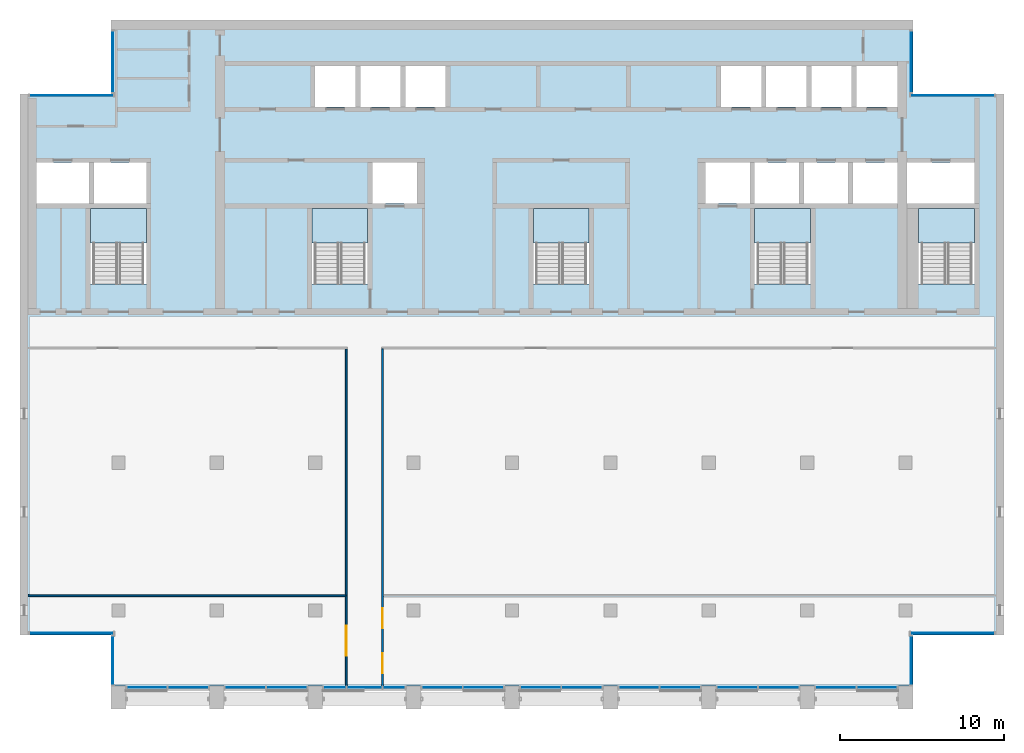
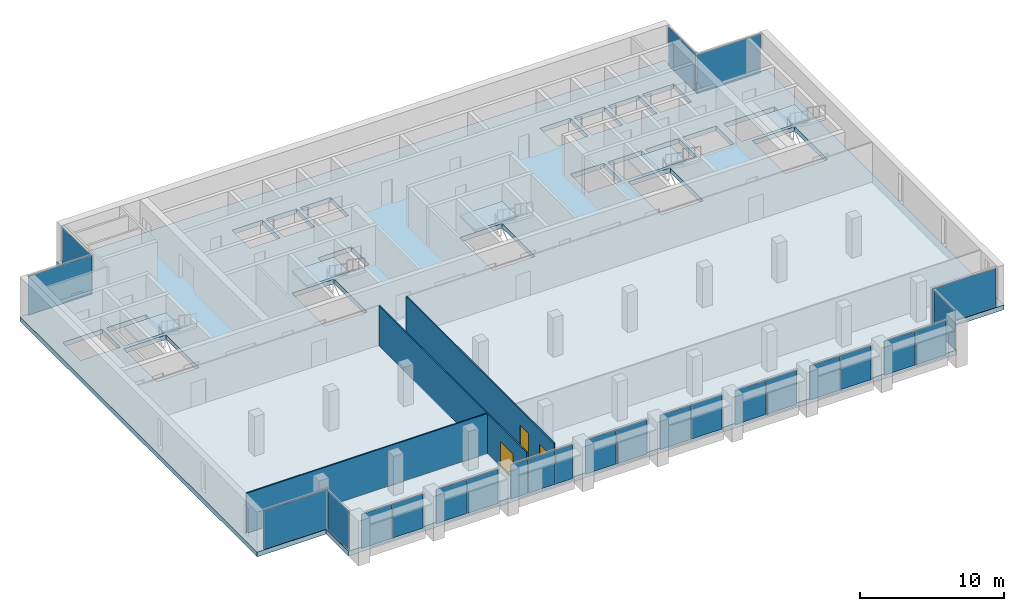
# One storey, part 6 of 14: 25 plates, 6 slabs, 3 doors, 3 walls, 3 openings, 21 elements without a shape of their own.
"""IFC4 building model written with IfcOpenShell, lengths in metres."""

from ifc_helpers import new_model, si_unit, direction, frame, frame_2d, origin, origin_2d, place, context, subcontext, project, spatial, polyline, rectangle, outline, extrude, material, layer, layer_set, type_object, element, fill, aggregate, save


model = new_model("IFC4")

# Units and contexts
model_context = context("Model", 3, precision=1e-05, world=origin(), true_north=direction((0.0, 1.0)))
body_context = subcontext(model_context, "Body", "Model", "MODEL_VIEW")
ifc_project = project(units=[si_unit("LENGTHUNIT", "METRE"), si_unit("AREAUNIT", "SQUARE_METRE"), si_unit("VOLUMEUNIT", "CUBIC_METRE"), si_unit("PLANEANGLEUNIT", "RADIAN"), si_unit("MASSUNIT", "GRAM", prefix="KILO")], contexts=[model_context])

# Site, building, storey
site_placement = place(None, origin())
site = spatial("IfcSite", under=ifc_project, at=site_placement, CompositionType="ELEMENT")
building_placement = place(site_placement, origin())
building = spatial("IfcBuilding", under=site, at=building_placement, Name="Calvaro Tower", CompositionType="ELEMENT")
storey_placement = place(building_placement, frame((0.0, 0.0, 258.35009765625)))
storey = spatial("IfcBuildingStorey", under=building, at=storey_placement, Name="L65", CompositionType="ELEMENT", Elevation=258.35009765625)

# Slab
ifc_material_1 = material(Name="Concrete C40/50", Category="concrete")
ifc_layer_1 = layer(ifc_material_1, 0.39990234375)
ifc_layer_set_1 = layer_set([ifc_layer_1], Name="Concrete C40/50")
slab_type_1 = type_object("IfcSlabType", Name="Floor slab 400 C40/50", PredefinedType="FLOOR", material=ifc_layer_set_1)
slab_1_placement = place(storey_placement, frame((0.0, 0.0, -0.400146484375)))
element("IfcSlab", 1, at=slab_1_placement, inside=storey, type_object=slab_type_1, Name="Floor slab", PredefinedType="FLOOR", context=body_context, shape_type="SweptSolid", body=[
    extrude(outline(polyline([(60.449951171875, 8.5), (60.449951171875, 5.39990234375), (11.550048828125, 5.39990234375), (11.550048828125, 8.5), (6.0, 8.5), (6.0, 41.5), (11.550048828125, 41.5), (11.550048828125, 46.0), (60.449951171875, 46.0), (60.449951171875, 41.5), (66.0, 41.5), (66.0, 8.5), (60.449951171875, 8.5)]), holes=[polyline([(10.300048828125, 29.909912109375), (10.300048828125, 34.5), (12.0, 34.5), (13.699951171875, 34.5), (13.699951171875, 29.909912109375), (12.0, 29.909912109375), (10.300048828125, 29.909912109375)]), polyline([(23.800048828125, 29.909912109375), (23.800048828125, 34.5), (25.5, 34.5), (27.199951171875, 34.5), (27.199951171875, 29.909912109375), (25.5, 29.909912109375), (23.800048828125, 29.909912109375)]), polyline([(37.300048828125, 29.909912109375), (37.300048828125, 34.5), (39.0, 34.5), (40.699951171875, 34.5), (40.699951171875, 29.909912109375), (39.0, 29.909912109375), (37.300048828125, 29.909912109375)]), polyline([(50.800048828125, 29.909912109375), (50.800048828125, 34.5), (52.5, 34.5), (54.199951171875, 34.5), (54.199951171875, 29.909912109375), (52.5, 29.909912109375), (50.800048828125, 29.909912109375)]), polyline([(60.800048828125, 29.909912109375), (60.800048828125, 34.5), (62.5, 34.5), (64.199951171875, 34.5), (64.199951171875, 29.909912109375), (62.5, 29.909912109375), (60.800048828125, 29.909912109375)]), polyline([(50.800048828125, 34.800048828125), (53.5, 34.800048828125), (53.5, 37.300048828125), (50.800048828125, 37.300048828125), (50.800048828125, 34.800048828125)]), polyline([(53.800048828125, 34.800048828125), (56.5, 34.800048828125), (56.5, 37.300048828125), (53.800048828125, 37.300048828125), (53.800048828125, 34.800048828125)]), polyline([(56.800048828125, 34.800048828125), (59.5, 34.800048828125), (59.5, 37.300048828125), (56.800048828125, 37.300048828125), (56.800048828125, 34.800048828125)]), polyline([(24.0, 40.699951171875), (26.449951171875, 40.699951171875), (26.449951171875, 43.199951171875), (24.0, 43.199951171875), (24.0, 40.699951171875)]), polyline([(26.75, 40.699951171875), (29.199951171875, 40.699951171875), (29.199951171875, 43.199951171875), (26.75, 43.199951171875), (26.75, 40.699951171875)]), polyline([(29.5, 40.699951171875), (31.949951171875, 40.699951171875), (31.949951171875, 43.199951171875), (29.5, 43.199951171875), (29.5, 40.699951171875)]), polyline([(48.75, 40.699951171875), (51.199951171875, 40.699951171875), (51.199951171875, 43.199951171875), (48.75, 43.199951171875), (48.75, 40.699951171875)]), polyline([(51.5, 40.699951171875), (53.949951171875, 40.699951171875), (53.949951171875, 43.199951171875), (51.5, 43.199951171875), (51.5, 40.699951171875)]), polyline([(54.25, 40.699951171875), (56.699951171875, 40.699951171875), (56.699951171875, 43.199951171875), (54.25, 43.199951171875), (54.25, 40.699951171875)]), polyline([(57.0, 40.699951171875), (59.5, 40.699951171875), (59.5, 43.199951171875), (57.0, 43.199951171875), (57.0, 40.699951171875)]), polyline([(7.0, 34.800048828125), (10.199951171875, 34.800048828125), (10.199951171875, 37.300048828125), (7.0, 37.300048828125), (7.0, 34.800048828125)]), polyline([(10.5, 34.800048828125), (13.699951171875, 34.800048828125), (13.699951171875, 37.300048828125), (10.5, 37.300048828125), (10.5, 34.800048828125)]), polyline([(60.10009765625, 34.800048828125), (64.199951171875, 34.800048828125), (64.199951171875, 37.300048828125), (60.10009765625, 37.300048828125), (60.10009765625, 34.800048828125)]), polyline([(27.5, 34.800048828125), (30.199951171875, 34.800048828125), (30.199951171875, 37.300048828125), (27.5, 37.300048828125), (27.5, 34.800048828125)]), polyline([(47.800048828125, 34.800048828125), (50.5, 34.800048828125), (50.5, 37.300048828125), (47.800048828125, 37.300048828125), (47.800048828125, 34.800048828125)])]), origin(), (0.0, 0.0, 1.0), 0.400146484375),
])

# Curtain wall, plates
ifc_material_2 = material(Name="Anodised aluminium", Category="aluminium")
curtain_wall_type = type_object("IfcCurtainWallType", Name="Executive curtain wall", PredefinedType="NOTDEFINED", material=ifc_material_2)
curtain_wall_1_placement = place(storey_placement, origin())
curtain_wall_1 = element("IfcCurtainWall", 2, at=curtain_wall_1_placement, inside=storey, type_object=curtain_wall_type, Name="CW4 south curtain wall", PredefinedType="NOTDEFINED")
ifc_material_3 = material(Name="Glass", Category="glass")
ifc_layer_2 = layer(ifc_material_3, 0.0400390625)
ifc_layer_set_2 = layer_set([ifc_layer_2], Name="Glass")
plate_type = type_object("IfcPlateType", Name="Glass panel S4 40", PredefinedType="CURTAIN_PANEL", material=ifc_layer_set_2)
plate_1_placement = place(storey_placement, frame((13.7451171875, 5.2900390625, 0.0), z_axis=(0.0, 0.0, 1.0), x_axis=(1.0, 0.0, 0.0)))
plate_1 = element("IfcPlate", 3, at=plate_1_placement, type_object=plate_type, Name="CW4 glass panel 1.1", PredefinedType="CURTAIN_PANEL", context=body_context, shape_type="SweptSolid", body=[
    extrude(rectangle(XDim=2.429931640625, YDim=0.0400390625, at=origin_2d()), origin(), (0.0, 0.0, 1.0), 2.8798828125),
])
plate_2_placement = place(storey_placement, frame((16.2548828125, 5.2900390625, 0.0), z_axis=(0.0, 0.0, 1.0), x_axis=(1.0, 0.0, 0.0)))
plate_2 = element("IfcPlate", 4, at=plate_2_placement, type_object=plate_type, Name="CW4 glass panel 2.1", PredefinedType="CURTAIN_PANEL", context=body_context, shape_type="SweptSolid", body=[
    extrude(rectangle(XDim=2.429931640625, YDim=0.0400390625, at=origin_2d()), origin(), (0.0, 0.0, 1.0), 2.8798828125),
])
aggregate(curtain_wall_1, [plate_1, plate_2])

curtain_wall_2_placement = place(storey_placement, origin())
curtain_wall_2 = element("IfcCurtainWall", 5, at=curtain_wall_2_placement, inside=storey, type_object=curtain_wall_type, Name="CW4 south curtain wall", PredefinedType="NOTDEFINED")
plate_3_placement = place(storey_placement, frame((19.7451171875, 5.2900390625, 0.0), z_axis=(0.0, 0.0, 1.0), x_axis=(1.0, 0.0, 0.0)))
plate_3 = element("IfcPlate", 6, at=plate_3_placement, type_object=plate_type, Name="CW4 glass panel 1.1", PredefinedType="CURTAIN_PANEL", context=body_context, shape_type="SweptSolid", body=[
    extrude(rectangle(XDim=2.429931640625, YDim=0.0400390625, at=origin_2d()), origin(), (0.0, 0.0, 1.0), 2.8798828125),
])
plate_4_placement = place(storey_placement, frame((22.2548828125, 5.2900390625, 0.0), z_axis=(0.0, 0.0, 1.0), x_axis=(1.0, 0.0, 0.0)))
plate_4 = element("IfcPlate", 7, at=plate_4_placement, type_object=plate_type, Name="CW4 glass panel 2.1", PredefinedType="CURTAIN_PANEL", context=body_context, shape_type="SweptSolid", body=[
    extrude(rectangle(XDim=2.429931640625, YDim=0.0400390625, at=origin_2d()), origin(), (0.0, 0.0, 1.0), 2.8798828125),
])
aggregate(curtain_wall_2, [plate_3, plate_4])

curtain_wall_3_placement = place(storey_placement, origin())
curtain_wall_3 = element("IfcCurtainWall", 8, at=curtain_wall_3_placement, inside=storey, type_object=curtain_wall_type, Name="CW4 south curtain wall", PredefinedType="NOTDEFINED")
plate_5_placement = place(storey_placement, frame((25.195068359375, 5.2900390625, 0.0), z_axis=(0.0, 0.0, 1.0), x_axis=(1.0, 0.0, 0.0)))
plate_5 = element("IfcPlate", 9, at=plate_5_placement, type_object=plate_type, Name="CW4 glass panel 1.1", PredefinedType="CURTAIN_PANEL", context=body_context, shape_type="SweptSolid", body=[
    extrude(rectangle(XDim=1.330078125, YDim=0.0400390625, at=origin_2d()), origin(), (0.0, 0.0, 1.0), 2.8798828125),
])
plate_6_placement = place(storey_placement, frame((27.0, 5.2900390625, 0.0), z_axis=(0.0, 0.0, 1.0), x_axis=(1.0, 0.0, 0.0)))
plate_6 = element("IfcPlate", 10, at=plate_6_placement, type_object=plate_type, Name="CW4 glass panel 2.1", PredefinedType="CURTAIN_PANEL", context=body_context, shape_type="SweptSolid", body=[
    extrude(rectangle(XDim=2.1201171875, YDim=0.0400390625, at=origin_2d()), origin(), (0.0, 0.0, 1.0), 2.8798828125),
])
plate_7_placement = place(storey_placement, frame((28.804931640625, 5.2900390625, 0.0), z_axis=(0.0, 0.0, 1.0), x_axis=(1.0, 0.0, 0.0)))
plate_7 = element("IfcPlate", 11, at=plate_7_placement, type_object=plate_type, Name="CW4 glass panel 3.1", PredefinedType="CURTAIN_PANEL", context=body_context, shape_type="SweptSolid", body=[
    extrude(rectangle(XDim=1.330078125, YDim=0.0400390625, at=origin_2d()), origin(), (0.0, 0.0, 1.0), 2.8798828125),
])
aggregate(curtain_wall_3, [plate_5, plate_6, plate_7])

curtain_wall_4_placement = place(storey_placement, origin())
curtain_wall_4 = element("IfcCurtainWall", 12, at=curtain_wall_4_placement, inside=storey, type_object=curtain_wall_type, Name="CW4 south curtain wall", PredefinedType="NOTDEFINED")
plate_8_placement = place(storey_placement, frame((31.7451171875, 5.2900390625, 0.0), z_axis=(0.0, 0.0, 1.0), x_axis=(1.0, 0.0, 0.0)))
plate_8 = element("IfcPlate", 13, at=plate_8_placement, type_object=plate_type, Name="CW4 glass panel 1.1", PredefinedType="CURTAIN_PANEL", context=body_context, shape_type="SweptSolid", body=[
    extrude(rectangle(XDim=2.429931640625, YDim=0.0400390625, at=origin_2d()), origin(), (0.0, 0.0, 1.0), 2.8798828125),
])
plate_9_placement = place(storey_placement, frame((34.2548828125, 5.2900390625, 0.0), z_axis=(0.0, 0.0, 1.0), x_axis=(1.0, 0.0, 0.0)))
plate_9 = element("IfcPlate", 14, at=plate_9_placement, type_object=plate_type, Name="CW4 glass panel 2.1", PredefinedType="CURTAIN_PANEL", context=body_context, shape_type="SweptSolid", body=[
    extrude(rectangle(XDim=2.429931640625, YDim=0.0400390625, at=origin_2d()), origin(), (0.0, 0.0, 1.0), 2.8798828125),
])
aggregate(curtain_wall_4, [plate_8, plate_9])

curtain_wall_5_placement = place(storey_placement, origin())
curtain_wall_5 = element("IfcCurtainWall", 15, at=curtain_wall_5_placement, inside=storey, type_object=curtain_wall_type, Name="CW4 south curtain wall", PredefinedType="NOTDEFINED")
plate_10_placement = place(storey_placement, frame((37.7451171875, 5.2900390625, 0.0), z_axis=(0.0, 0.0, 1.0), x_axis=(1.0, 0.0, 0.0)))
plate_10 = element("IfcPlate", 16, at=plate_10_placement, type_object=plate_type, Name="CW4 glass panel 1.1", PredefinedType="CURTAIN_PANEL", context=body_context, shape_type="SweptSolid", body=[
    extrude(rectangle(XDim=2.429931640625, YDim=0.0400390625, at=origin_2d()), origin(), (0.0, 0.0, 1.0), 2.8798828125),
])
plate_11_placement = place(storey_placement, frame((40.2548828125, 5.2900390625, 0.0), z_axis=(0.0, 0.0, 1.0), x_axis=(1.0, 0.0, 0.0)))
plate_11 = element("IfcPlate", 17, at=plate_11_placement, type_object=plate_type, Name="CW4 glass panel 2.1", PredefinedType="CURTAIN_PANEL", context=body_context, shape_type="SweptSolid", body=[
    extrude(rectangle(XDim=2.429931640625, YDim=0.0400390625, at=origin_2d()), origin(), (0.0, 0.0, 1.0), 2.8798828125),
])
aggregate(curtain_wall_5, [plate_10, plate_11])

curtain_wall_6_placement = place(storey_placement, origin())
curtain_wall_6 = element("IfcCurtainWall", 18, at=curtain_wall_6_placement, inside=storey, type_object=curtain_wall_type, Name="CW4 south curtain wall", PredefinedType="NOTDEFINED")
plate_12_placement = place(storey_placement, frame((43.7451171875, 5.2900390625, 0.0), z_axis=(0.0, 0.0, 1.0), x_axis=(1.0, 0.0, 0.0)))
plate_12 = element("IfcPlate", 19, at=plate_12_placement, type_object=plate_type, Name="CW4 glass panel 1.1", PredefinedType="CURTAIN_PANEL", context=body_context, shape_type="SweptSolid", body=[
    extrude(rectangle(XDim=2.429931640625, YDim=0.0400390625, at=origin_2d()), origin(), (0.0, 0.0, 1.0), 2.8798828125),
])
plate_13_placement = place(storey_placement, frame((46.2548828125, 5.2900390625, 0.0), z_axis=(0.0, 0.0, 1.0), x_axis=(1.0, 0.0, 0.0)))
plate_13 = element("IfcPlate", 20, at=plate_13_placement, type_object=plate_type, Name="CW4 glass panel 2.1", PredefinedType="CURTAIN_PANEL", context=body_context, shape_type="SweptSolid", body=[
    extrude(rectangle(XDim=2.429931640625, YDim=0.0400390625, at=origin_2d()), origin(), (0.0, 0.0, 1.0), 2.8798828125),
])
aggregate(curtain_wall_6, [plate_12, plate_13])

curtain_wall_7_placement = place(storey_placement, origin())
curtain_wall_7 = element("IfcCurtainWall", 21, at=curtain_wall_7_placement, inside=storey, type_object=curtain_wall_type, Name="CW4 south curtain wall", PredefinedType="NOTDEFINED")
plate_14_placement = place(storey_placement, frame((49.7451171875, 5.2900390625, 0.0), z_axis=(0.0, 0.0, 1.0), x_axis=(1.0, 0.0, 0.0)))
plate_14 = element("IfcPlate", 22, at=plate_14_placement, type_object=plate_type, Name="CW4 glass panel 1.1", PredefinedType="CURTAIN_PANEL", context=body_context, shape_type="SweptSolid", body=[
    extrude(rectangle(XDim=2.429931640625, YDim=0.0400390625, at=origin_2d()), origin(), (0.0, 0.0, 1.0), 2.8798828125),
])
plate_15_placement = place(storey_placement, frame((52.2548828125, 5.2900390625, 0.0), z_axis=(0.0, 0.0, 1.0), x_axis=(1.0, 0.0, 0.0)))
plate_15 = element("IfcPlate", 23, at=plate_15_placement, type_object=plate_type, Name="CW4 glass panel 2.1", PredefinedType="CURTAIN_PANEL", context=body_context, shape_type="SweptSolid", body=[
    extrude(rectangle(XDim=2.429931640625, YDim=0.0400390625, at=origin_2d()), origin(), (0.0, 0.0, 1.0), 2.8798828125),
])
aggregate(curtain_wall_7, [plate_14, plate_15])

curtain_wall_8_placement = place(storey_placement, origin())
curtain_wall_8 = element("IfcCurtainWall", 24, at=curtain_wall_8_placement, inside=storey, type_object=curtain_wall_type, Name="CW4 south curtain wall", PredefinedType="NOTDEFINED")
plate_16_placement = place(storey_placement, frame((55.7451171875, 5.2900390625, 0.0), z_axis=(0.0, 0.0, 1.0), x_axis=(1.0, 0.0, 0.0)))
plate_16 = element("IfcPlate", 25, at=plate_16_placement, type_object=plate_type, Name="CW4 glass panel 1.1", PredefinedType="CURTAIN_PANEL", context=body_context, shape_type="SweptSolid", body=[
    extrude(rectangle(XDim=2.429931640625, YDim=0.0400390625, at=origin_2d()), origin(), (0.0, 0.0, 1.0), 2.8798828125),
])
plate_17_placement = place(storey_placement, frame((58.2548828125, 5.2900390625, 0.0), z_axis=(0.0, 0.0, 1.0), x_axis=(1.0, 0.0, 0.0)))
plate_17 = element("IfcPlate", 26, at=plate_17_placement, type_object=plate_type, Name="CW4 glass panel 2.1", PredefinedType="CURTAIN_PANEL", context=body_context, shape_type="SweptSolid", body=[
    extrude(rectangle(XDim=2.429931640625, YDim=0.0400390625, at=origin_2d()), origin(), (0.0, 0.0, 1.0), 2.8798828125),
])
aggregate(curtain_wall_8, [plate_16, plate_17])

# Curtain wall, plate
curtain_wall_9_placement = place(storey_placement, origin())
curtain_wall_9 = element("IfcCurtainWall", 27, at=curtain_wall_9_placement, inside=storey, type_object=curtain_wall_type, Name="CW4 corner curtain wall", PredefinedType="NOTDEFINED")
plate_18_placement = place(storey_placement, frame((11.659912109375, 6.949951171875, 0.0), z_axis=(0.0, 0.0, 1.0), x_axis=(0.0, 1.0, 0.0)))
plate_18 = element("IfcPlate", 28, at=plate_18_placement, type_object=plate_type, Name="CW4 glass panel 1.1", PredefinedType="CURTAIN_PANEL", context=body_context, shape_type="SweptSolid", body=[
    extrude(rectangle(XDim=2.93994140625, YDim=0.0400390625, at=origin_2d()), origin(), (0.0, 0.0, 1.0), 3.280029296875),
])
aggregate(curtain_wall_9, [plate_18])

curtain_wall_10_placement = place(storey_placement, origin())
curtain_wall_10 = element("IfcCurtainWall", 29, at=curtain_wall_10_placement, inside=storey, type_object=curtain_wall_type, Name="CW4 corner curtain wall", PredefinedType="NOTDEFINED")
plate_19_placement = place(storey_placement, frame((9.135009765625, 8.610107421875, 0.0), z_axis=(0.0, 0.0, 1.0), x_axis=(1.0, 0.0, 0.0)))
plate_19 = element("IfcPlate", 30, at=plate_19_placement, type_object=plate_type, Name="CW4 glass panel 1.1", PredefinedType="CURTAIN_PANEL", context=body_context, shape_type="SweptSolid", body=[
    extrude(rectangle(XDim=5.110107421875, YDim=0.0400390625, at=origin_2d()), origin(), (0.0, 0.0, 1.0), 3.280029296875),
])
aggregate(curtain_wall_10, [plate_19])

curtain_wall_11_placement = place(storey_placement, origin())
curtain_wall_11 = element("IfcCurtainWall", 31, at=curtain_wall_11_placement, inside=storey, type_object=curtain_wall_type, Name="CW4 corner curtain wall", PredefinedType="NOTDEFINED")
plate_20_placement = place(storey_placement, frame((11.659912109375, 43.449951171875, 0.0), z_axis=(0.0, 0.0, 1.0), x_axis=(0.0, 1.0, 0.0)))
plate_20 = element("IfcPlate", 32, at=plate_20_placement, type_object=plate_type, Name="CW4 glass panel 1.1", PredefinedType="CURTAIN_PANEL", context=body_context, shape_type="SweptSolid", body=[
    extrude(rectangle(XDim=3.739990234375, YDim=0.0400390625, at=origin_2d()), origin(), (0.0, 0.0, 1.0), 3.280029296875),
])
aggregate(curtain_wall_11, [plate_20])

curtain_wall_12_placement = place(storey_placement, origin())
curtain_wall_12 = element("IfcCurtainWall", 33, at=curtain_wall_12_placement, inside=storey, type_object=curtain_wall_type, Name="CW4 corner curtain wall", PredefinedType="NOTDEFINED")
plate_21_placement = place(storey_placement, frame((9.135009765625, 41.389892578125, 0.0), z_axis=(0.0, 0.0, 1.0), x_axis=(1.0, 0.0, 0.0)))
plate_21 = element("IfcPlate", 34, at=plate_21_placement, type_object=plate_type, Name="CW4 glass panel 1.1", PredefinedType="CURTAIN_PANEL", context=body_context, shape_type="SweptSolid", body=[
    extrude(rectangle(XDim=5.110107421875, YDim=0.0400390625, at=origin_2d()), origin(), (0.0, 0.0, 1.0), 3.280029296875),
])
aggregate(curtain_wall_12, [plate_21])

curtain_wall_13_placement = place(storey_placement, origin())
curtain_wall_13 = element("IfcCurtainWall", 35, at=curtain_wall_13_placement, inside=storey, type_object=curtain_wall_type, Name="CW4 corner curtain wall", PredefinedType="NOTDEFINED")
plate_22_placement = place(storey_placement, frame((60.340087890625, 6.949951171875, 0.0), z_axis=(0.0, 0.0, 1.0), x_axis=(0.0, 1.0, 0.0)))
plate_22 = element("IfcPlate", 36, at=plate_22_placement, type_object=plate_type, Name="CW4 glass panel 1.1", PredefinedType="CURTAIN_PANEL", context=body_context, shape_type="SweptSolid", body=[
    extrude(rectangle(XDim=2.93994140625, YDim=0.0400390625, at=origin_2d()), origin(), (0.0, 0.0, 1.0), 3.280029296875),
])
aggregate(curtain_wall_13, [plate_22])

curtain_wall_14_placement = place(storey_placement, origin())
curtain_wall_14 = element("IfcCurtainWall", 37, at=curtain_wall_14_placement, inside=storey, type_object=curtain_wall_type, Name="CW4 corner curtain wall", PredefinedType="NOTDEFINED")
plate_23_placement = place(storey_placement, frame((62.864990234375, 8.610107421875, 0.0), z_axis=(0.0, 0.0, 1.0), x_axis=(1.0, 0.0, 0.0)))
plate_23 = element("IfcPlate", 38, at=plate_23_placement, type_object=plate_type, Name="CW4 glass panel 1.1", PredefinedType="CURTAIN_PANEL", context=body_context, shape_type="SweptSolid", body=[
    extrude(rectangle(XDim=5.110107421875, YDim=0.0400390625, at=origin_2d()), origin(), (0.0, 0.0, 1.0), 3.280029296875),
])
aggregate(curtain_wall_14, [plate_23])

curtain_wall_15_placement = place(storey_placement, origin())
curtain_wall_15 = element("IfcCurtainWall", 39, at=curtain_wall_15_placement, inside=storey, type_object=curtain_wall_type, Name="CW4 corner curtain wall", PredefinedType="NOTDEFINED")
plate_24_placement = place(storey_placement, frame((60.340087890625, 43.449951171875, 0.0), z_axis=(0.0, 0.0, 1.0), x_axis=(0.0, 1.0, 0.0)))
plate_24 = element("IfcPlate", 40, at=plate_24_placement, type_object=plate_type, Name="CW4 glass panel 1.1", PredefinedType="CURTAIN_PANEL", context=body_context, shape_type="SweptSolid", body=[
    extrude(rectangle(XDim=3.739990234375, YDim=0.0400390625, at=origin_2d()), origin(), (0.0, 0.0, 1.0), 3.280029296875),
])
aggregate(curtain_wall_15, [plate_24])

curtain_wall_16_placement = place(storey_placement, origin())
curtain_wall_16 = element("IfcCurtainWall", 41, at=curtain_wall_16_placement, inside=storey, type_object=curtain_wall_type, Name="CW4 corner curtain wall", PredefinedType="NOTDEFINED")
plate_25_placement = place(storey_placement, frame((62.864990234375, 41.389892578125, 0.0), z_axis=(0.0, 0.0, 1.0), x_axis=(1.0, 0.0, 0.0)))
plate_25 = element("IfcPlate", 42, at=plate_25_placement, type_object=plate_type, Name="CW4 glass panel 1.1", PredefinedType="CURTAIN_PANEL", context=body_context, shape_type="SweptSolid", body=[
    extrude(rectangle(XDim=5.110107421875, YDim=0.0400390625, at=origin_2d()), origin(), (0.0, 0.0, 1.0), 3.280029296875),
])
aggregate(curtain_wall_16, [plate_25])

# Stair, slab
ifc_material_4 = material(Name="Concrete C40/50", Category="concrete")
stair_type = type_object("IfcStairType", Name="Exit stair 1400 2 flights", PredefinedType="HALF_TURN_STAIR", material=ifc_material_4)
stair_1_placement = place(storey_placement, origin())
stair_1 = element("IfcStair", 43, at=stair_1_placement, inside=storey, type_object=stair_type, Name="Exit stair S1", PredefinedType="HALF_TURN_STAIR")
ifc_material_5 = material(Name="Concrete C40/50", Category="concrete")
ifc_layer_3 = layer(ifc_material_5, 0.199951171875)
ifc_layer_set_3 = layer_set([ifc_layer_3], Name="Concrete C40/50")
slab_type_2 = type_object("IfcSlabType", Name="Stair landing", PredefinedType="LANDING", material=ifc_layer_set_3)
slab_2_placement = place(storey_placement, frame((0.0, 0.0, 1.699951171875)))
slab_2 = element("IfcSlab", 44, at=slab_2_placement, type_object=slab_type_2, Name="Exit stair 1, landing 1", PredefinedType="LANDING", context=body_context, shape_type="SweptSolid", body=[
    extrude(outline(polyline([(11.89990234375, 32.389892578125), (10.5, 32.389892578125), (10.5, 32.39990234375), (10.300048828125, 32.39990234375), (10.300048828125, 34.5), (10.5, 34.5), (11.89990234375, 34.5), (12.10009765625, 34.5), (13.5, 34.5), (13.699951171875, 34.5), (13.699951171875, 32.39990234375), (13.5, 32.39990234375), (13.5, 32.389892578125), (12.10009765625, 32.389892578125), (12.10009765625, 32.39990234375), (11.89990234375, 32.39990234375), (11.89990234375, 32.389892578125)])), origin(), (0.0, 0.0, 1.0), 0.199951171875),
])
aggregate(stair_1, [slab_2])

stair_2_placement = place(storey_placement, origin())
stair_2 = element("IfcStair", 45, at=stair_2_placement, inside=storey, type_object=stair_type, Name="Exit stair S2", PredefinedType="HALF_TURN_STAIR")
slab_3_placement = place(storey_placement, frame((0.0, 0.0, 1.699951171875)))
slab_3 = element("IfcSlab", 46, at=slab_3_placement, type_object=slab_type_2, Name="Exit stair 2, landing 1", PredefinedType="LANDING", context=body_context, shape_type="SweptSolid", body=[
    extrude(outline(polyline([(25.39990234375, 32.389892578125), (24.0, 32.389892578125), (24.0, 32.39990234375), (23.800048828125, 32.39990234375), (23.800048828125, 34.5), (24.0, 34.5), (25.39990234375, 34.5), (25.60009765625, 34.5), (27.0, 34.5), (27.199951171875, 34.5), (27.199951171875, 32.39990234375), (27.0, 32.39990234375), (27.0, 32.389892578125), (25.60009765625, 32.389892578125), (25.60009765625, 32.39990234375), (25.39990234375, 32.39990234375), (25.39990234375, 32.389892578125)])), origin(), (0.0, 0.0, 1.0), 0.199951171875),
])
aggregate(stair_2, [slab_3])

stair_3_placement = place(storey_placement, origin())
stair_3 = element("IfcStair", 47, at=stair_3_placement, inside=storey, type_object=stair_type, Name="Exit stair S3", PredefinedType="HALF_TURN_STAIR")
slab_4_placement = place(storey_placement, frame((0.0, 0.0, 1.699951171875)))
slab_4 = element("IfcSlab", 48, at=slab_4_placement, type_object=slab_type_2, Name="Exit stair 3, landing 1", PredefinedType="LANDING", context=body_context, shape_type="SweptSolid", body=[
    extrude(outline(polyline([(38.89990234375, 32.389892578125), (37.5, 32.389892578125), (37.5, 32.39990234375), (37.300048828125, 32.39990234375), (37.300048828125, 34.5), (37.5, 34.5), (38.89990234375, 34.5), (39.10009765625, 34.5), (40.5, 34.5), (40.699951171875, 34.5), (40.699951171875, 32.39990234375), (40.5, 32.39990234375), (40.5, 32.389892578125), (39.10009765625, 32.389892578125), (39.10009765625, 32.39990234375), (38.89990234375, 32.39990234375), (38.89990234375, 32.389892578125)])), origin(), (0.0, 0.0, 1.0), 0.199951171875),
])
aggregate(stair_3, [slab_4])

stair_4_placement = place(storey_placement, origin())
stair_4 = element("IfcStair", 49, at=stair_4_placement, inside=storey, type_object=stair_type, Name="Exit stair S4", PredefinedType="HALF_TURN_STAIR")
slab_5_placement = place(storey_placement, frame((0.0, 0.0, 1.699951171875)))
slab_5 = element("IfcSlab", 50, at=slab_5_placement, type_object=slab_type_2, Name="Exit stair 4, landing 1", PredefinedType="LANDING", context=body_context, shape_type="SweptSolid", body=[
    extrude(outline(polyline([(52.39990234375, 32.389892578125), (51.0, 32.389892578125), (51.0, 32.39990234375), (50.800048828125, 32.39990234375), (50.800048828125, 34.5), (51.0, 34.5), (52.39990234375, 34.5), (52.60009765625, 34.5), (54.0, 34.5), (54.199951171875, 34.5), (54.199951171875, 32.39990234375), (54.0, 32.39990234375), (54.0, 32.389892578125), (52.60009765625, 32.389892578125), (52.60009765625, 32.39990234375), (52.39990234375, 32.39990234375), (52.39990234375, 32.389892578125)])), origin(), (0.0, 0.0, 1.0), 0.199951171875),
])
aggregate(stair_4, [slab_5])

stair_5_placement = place(storey_placement, origin())
stair_5 = element("IfcStair", 51, at=stair_5_placement, inside=storey, type_object=stair_type, Name="Exit stair S5", PredefinedType="HALF_TURN_STAIR")
slab_6_placement = place(storey_placement, frame((0.0, 0.0, 1.699951171875)))
slab_6 = element("IfcSlab", 52, at=slab_6_placement, type_object=slab_type_2, Name="Exit stair 5, landing 1", PredefinedType="LANDING", context=body_context, shape_type="SweptSolid", body=[
    extrude(outline(polyline([(62.39990234375, 32.389892578125), (61.0, 32.389892578125), (61.0, 32.39990234375), (60.800048828125, 32.39990234375), (60.800048828125, 34.5), (61.0, 34.5), (62.39990234375, 34.5), (62.60009765625, 34.5), (64.0, 34.5), (64.199951171875, 34.5), (64.199951171875, 32.39990234375), (64.0, 32.39990234375), (64.0, 32.389892578125), (62.60009765625, 32.389892578125), (62.60009765625, 32.39990234375), (62.39990234375, 32.39990234375), (62.39990234375, 32.389892578125)])), origin(), (0.0, 0.0, 1.0), 0.199951171875),
])
aggregate(stair_5, [slab_6])

# Wall
ifc_material_6 = material(Name="Plasterboard on steel studs", Category="steel")
ifc_layer_4 = layer(ifc_material_6, 0.10009765625)
ifc_layer_set_4 = layer_set([ifc_layer_4], Name="Plasterboard on steel studs")
wall_type = type_object("IfcWallType", Name="Partition 100", PredefinedType="PARTITIONING", material=ifc_layer_set_4)
wall_1_placement = place(storey_placement, frame((6.5, 10.89990234375, 0.0), z_axis=(0.0, 0.0, 1.0), x_axis=(1.0, 0.0, 0.0)))
element("IfcWall", 53, at=wall_1_placement, inside=storey, type_object=wall_type, Name="Partition T37.W001", PredefinedType="PARTITIONING", context=body_context, shape_type="SweptSolid", body=[
    extrude(rectangle(XDim=19.35009765625, YDim=0.10009765625, at=frame_2d((9.675048828125, 0.0))), origin(), (0.0, 0.0, 1.0), 3.39990234375),
])

# Wall, opening, door
wall_2_placement = place(storey_placement, frame((25.89990234375, 5.39990234375, 0.0), z_axis=(0.0, 0.0, 1.0), x_axis=(0.0, 1.0, 0.0)))
wall_2 = element("IfcWall", 54, at=wall_2_placement, inside=storey, type_object=wall_type, Name="Partition T37.W005", PredefinedType="PARTITIONING", context=body_context, shape_type="SweptSolid", body=[
    extrude(rectangle(XDim=20.550048828125, YDim=0.10009765625, at=frame_2d((10.27490234375, 0.0))), origin(), (0.0, 0.0, 1.0), 3.39990234375),
])
opening_1_placement = place(wall_2_placement, frame((1.85009765625, 0.0, 0.0)))
opening_1 = element("IfcOpeningElement", 55, at=opening_1_placement, cuts=wall_2, Name="Opening T37.003", PredefinedType="OPENING", context=body_context, shape_type="SweptSolid", body=[
    extrude(rectangle(XDim=1.800048828125, YDim=2.10009765625, at=frame_2d((0.89990234375, 1.050048828125))), frame((0.0, 0.06005859375, 0.0), z_axis=(0.0, -1.0, 0.0), x_axis=(1.0, 0.0, 0.0)), (0.0, 0.0, 1.0), 0.1201171875),
])
ifc_material_7 = material(Name="Timber", Category="wood")
door_type_1 = type_object("IfcDoorType", Name="Internal double door 1800 x 2100", OperationType="DOUBLE_DOOR_SINGLE_SWING", PredefinedType="DOOR", material=ifc_material_7)
door_1_placement = place(opening_1_placement, origin())
door_1 = element("IfcDoor", 56, at=door_1_placement, inside=storey, type_object=door_type_1, Name="Door T37.003", OperationType="DOUBLE_DOOR_SINGLE_SWING", OverallHeight=2.10009765625, OverallWidth=1.800048828125, PredefinedType="DOOR", context=body_context, shape_type="SweptSolid", body=[
    extrude(rectangle(XDim=1.800048828125, YDim=2.10009765625, at=frame_2d((0.89990234375, 1.050048828125))), frame((0.0, 0.02490234375, 0.0), z_axis=(0.0, -1.0, 0.0), x_axis=(1.0, 0.0, 0.0)), (0.0, 0.0, 1.0), 0.050048828125),
])
fill(opening_1, door_1)

# Wall, openings, doors
wall_3_placement = place(storey_placement, frame((28.10009765625, 5.39990234375, 0.0), z_axis=(0.0, 0.0, 1.0), x_axis=(0.0, 1.0, 0.0)))
wall_3 = element("IfcWall", 57, at=wall_3_placement, inside=storey, type_object=wall_type, Name="Partition T37.W006", PredefinedType="PARTITIONING", context=body_context, shape_type="SweptSolid", body=[
    extrude(rectangle(XDim=20.550048828125, YDim=0.10009765625, at=frame_2d((10.27490234375, 0.0))), origin(), (0.0, 0.0, 1.0), 3.39990234375),
])
opening_2_placement = place(wall_3_placement, frame((0.77490234375, 0.0, 0.0)))
opening_2 = element("IfcOpeningElement", 58, at=opening_2_placement, cuts=wall_3, Name="Opening T37.001", PredefinedType="OPENING", context=body_context, shape_type="SweptSolid", body=[
    extrude(rectangle(XDim=1.199951171875, YDim=2.10009765625, at=frame_2d((0.60009765625, 1.050048828125))), frame((0.0, 0.06005859375, 0.0), z_axis=(0.0, -1.0, 0.0), x_axis=(1.0, 0.0, 0.0)), (0.0, 0.0, 1.0), 0.1201171875),
])
opening_3_placement = place(wall_3_placement, frame((3.52490234375, 0.0, 0.0)))
opening_3 = element("IfcOpeningElement", 59, at=opening_3_placement, cuts=wall_3, Name="Opening T37.002", PredefinedType="OPENING", context=body_context, shape_type="SweptSolid", body=[
    extrude(rectangle(XDim=1.199951171875, YDim=2.10009765625, at=frame_2d((0.60009765625, 1.050048828125))), frame((0.0, 0.06005859375, 0.0), z_axis=(0.0, -1.0, 0.0), x_axis=(1.0, 0.0, 0.0)), (0.0, 0.0, 1.0), 0.1201171875),
])
ifc_material_8 = material(Name="Timber", Category="wood")
door_type_2 = type_object("IfcDoorType", Name="Internal single door 1200 x 2100", OperationType="SINGLE_SWING_LEFT", PredefinedType="DOOR", material=ifc_material_8)
door_2_placement = place(opening_2_placement, origin())
door_2 = element("IfcDoor", 60, at=door_2_placement, inside=storey, type_object=door_type_2, Name="Door T37.001", OperationType="SINGLE_SWING_LEFT", OverallHeight=2.10009765625, OverallWidth=1.199951171875, PredefinedType="DOOR", context=body_context, shape_type="SweptSolid", body=[
    extrude(rectangle(XDim=1.199951171875, YDim=2.10009765625, at=frame_2d((0.60009765625, 1.050048828125))), frame((0.0, 0.02490234375, 0.0), z_axis=(0.0, -1.0, 0.0), x_axis=(1.0, 0.0, 0.0)), (0.0, 0.0, 1.0), 0.050048828125),
])
fill(opening_2, door_2)
door_3_placement = place(opening_3_placement, origin())
door_3 = element("IfcDoor", 61, at=door_3_placement, inside=storey, type_object=door_type_2, Name="Door T37.002", OperationType="SINGLE_SWING_LEFT", OverallHeight=2.10009765625, OverallWidth=1.199951171875, PredefinedType="DOOR", context=body_context, shape_type="SweptSolid", body=[
    extrude(rectangle(XDim=1.199951171875, YDim=2.10009765625, at=frame_2d((0.60009765625, 1.050048828125))), frame((0.0, 0.02490234375, 0.0), z_axis=(0.0, -1.0, 0.0), x_axis=(1.0, 0.0, 0.0)), (0.0, 0.0, 1.0), 0.050048828125),
])
fill(opening_3, door_3)

save(model, "model.ifc")
